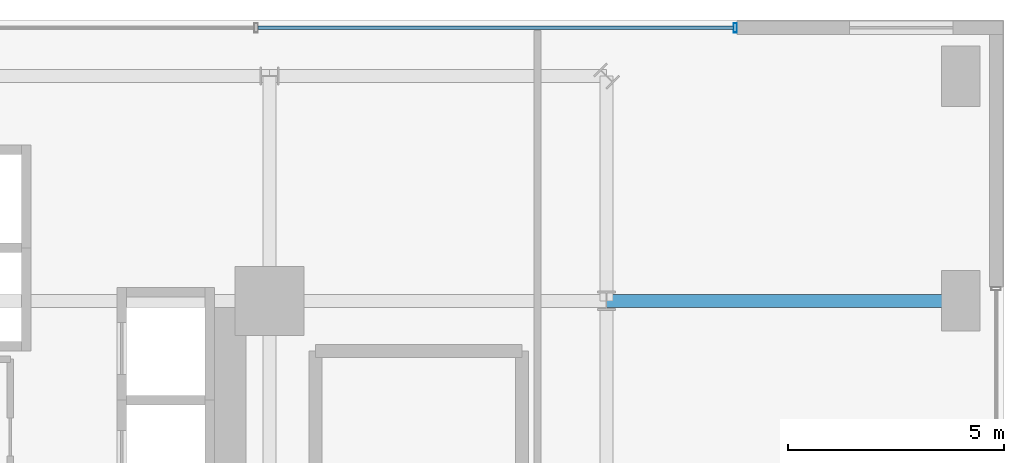
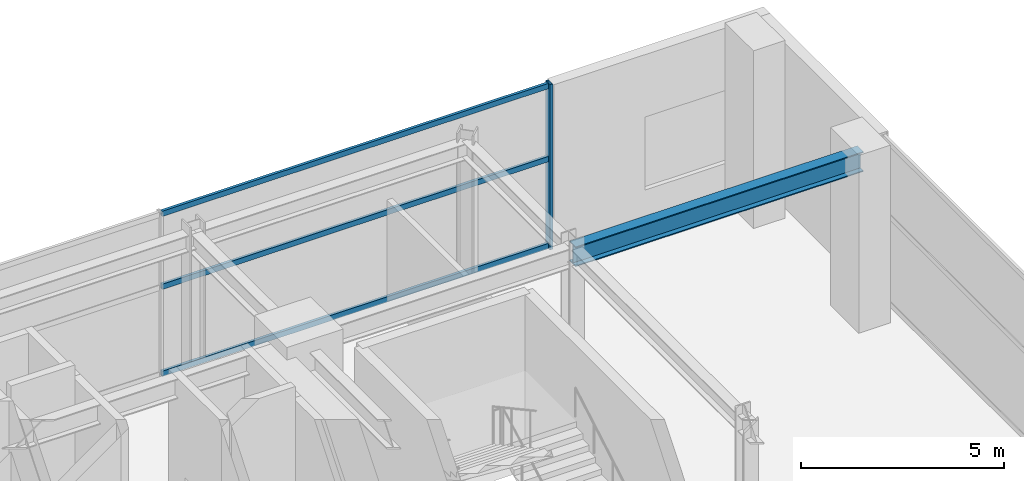
# One storey, part 22 of 35: 4 members, 1 beam, 1 element without a shape of its own.
"""IFC4 building model written with IfcOpenShell, lengths in metres."""

from ifc_helpers import new_model, si_unit, direction, frame, origin, origin_2d, place, context, subcontext, project, spatial, hollow_rectangle, i_section, extrude, source, transform, mapped, material, material_profile, profile_set, type_object, element, aggregate, save


model = new_model("IFC4")

# Units and contexts
model_context = context("Model", 3, precision=1e-05, world=origin(), true_north=direction((0.0, 1.0)))
body_context = subcontext(model_context, "Body", "Model", "MODEL_VIEW")
ifc_project = project(units=[si_unit("LENGTHUNIT", "METRE"), si_unit("AREAUNIT", "SQUARE_METRE"), si_unit("VOLUMEUNIT", "CUBIC_METRE"), si_unit("PLANEANGLEUNIT", "RADIAN"), si_unit("MASSUNIT", "GRAM", prefix="KILO")], contexts=[model_context])

# Site, building, storey
site_placement = place(None, origin())
site = spatial("IfcSite", under=ifc_project, at=site_placement, CompositionType="ELEMENT")
building_placement = place(site_placement, origin())
building = spatial("IfcBuilding", under=site, at=building_placement, Name="Nahalor Promenade Grand Hotel", CompositionType="ELEMENT")
storey_placement = place(building_placement, frame((0.0, 0.0, 21.60009765625)))
storey = spatial("IfcBuildingStorey", under=building, at=storey_placement, Name="L04", CompositionType="ELEMENT", Elevation=21.60009765625)

# Beam
ifc_material_1 = material(Name="Steel S355JR", Category="steel")
ifc_material_profile_1 = material_profile(ifc_material_1, i_section(OverallWidth=0.3, OverallDepth=0.6, WebThickness=0.0155, FlangeThickness=0.03, at=origin_2d()), Name="HEB 600")
ifc_profile_set_1 = profile_set([ifc_material_profile_1], Name="Steel S355JR")
beam_type = type_object("IfcBeamType", Name="Beam-Girder-HEB600", PredefinedType="BEAM", material=ifc_profile_set_1)
shared_shape_1 = source(origin(), body_context, "Body", "SweptSolid", [
    extrude(i_section(OverallWidth=0.3, OverallDepth=0.6, WebThickness=0.0155, FlangeThickness=0.03, at=origin_2d()), origin(), (0.0, 0.0, 1.0), 8.199951171875),
])
beam_placement = place(storey_placement, frame((24.800048828125, 17.0, 4.679931640625), z_axis=(1.0, 0.0, 0.0), x_axis=(0.0, 1.0, 0.0)))
element("IfcBeam", 1, at=beam_placement, inside=storey, type_object=beam_type, Name="BM-L04-GX-3-8", PredefinedType="BEAM", context=body_context, shape_type="MappedRepresentation", body=[
    mapped(shared_shape_1, transform((0.0, 0.0, 0.0), scale=1.0)),
])

# Curtain wall, members
ifc_material_2 = material(Name="Anodised Bronze Aluminium EN AW-6063 T6", Category="aluminium")
curtain_wall_type = type_object("IfcCurtainWallType", Name="CW1 Waterfront Podium Bronze Arcade Curtain Wall", PredefinedType="USERDEFINED", material=ifc_material_2)
curtain_wall_placement = place(storey_placement, origin())
curtain_wall = element("IfcCurtainWall", 2, at=curtain_wall_placement, inside=storey, type_object=curtain_wall_type, Name="L04 Curtain Wall CW-L04-N", ObjectType="UNITISED_CURTAIN_WALL", PredefinedType="USERDEFINED")
ifc_material_profile_2 = material_profile(ifc_material_2, hollow_rectangle(XDim=0.08, YDim=0.22, WallThickness=0.005, at=origin_2d()), Name="CWM 80x220x5")
ifc_profile_set_2 = profile_set([ifc_material_profile_2], Name="Anodised Bronze Aluminium EN AW-6063 T6")
member_type_1 = type_object("IfcMemberType", Name="CWM1 Podium Bronze Mullion 80x220", PredefinedType="MULLION", material=ifc_profile_set_2)
shared_shape_2 = source(origin(), body_context, "Body", "SweptSolid", [
    extrude(hollow_rectangle(XDim=0.08, YDim=0.22, WallThickness=0.005, at=origin_2d()), origin(), (0.0, 0.0, 1.0), 4.97998046875),
])
member_1_placement = place(storey_placement, frame((27.780029296875, 23.320068359375, 0.0), z_axis=(0.0, 0.0, 1.0), x_axis=(1.0, 0.0, 0.0)))
member_1 = element("IfcMember", 3, at=member_1_placement, type_object=member_type_1, Name="CW-L04-N Mullion 5", PredefinedType="MULLION", context=body_context, shape_type="MappedRepresentation", body=[
    mapped(shared_shape_2, transform((0.0, 0.0, 0.0), scale=1.0)),
])
ifc_material_profile_3 = material_profile(ifc_material_2, hollow_rectangle(XDim=0.08, YDim=0.16, WallThickness=0.004, at=origin_2d()), Name="CWT 80x160x4")
ifc_profile_set_3 = profile_set([ifc_material_profile_3], Name="Anodised Bronze Aluminium EN AW-6063 T6")
member_type_2 = type_object("IfcMemberType", Name="CWT1 Podium Bronze Transom 80x160", PredefinedType="USERDEFINED", material=ifc_profile_set_3)
shared_shape_3 = source(origin(), body_context, "Body", "SweptSolid", [
    extrude(hollow_rectangle(XDim=0.08, YDim=0.16, WallThickness=0.004, at=origin_2d()), origin(), (0.0, 0.0, 1.0), 11.008056640625),
])
member_2_placement = place(storey_placement, frame((16.73193359375, 23.320068359375, 0.079833984375), z_axis=(1.0, 0.0, 0.0), x_axis=(0.0, 1.0, 0.0)))
member_2 = element("IfcMember", 4, at=member_2_placement, type_object=member_type_2, Name="CW-L04-N Transom 4-0", ObjectType="TRANSOM", PredefinedType="USERDEFINED", context=body_context, shape_type="MappedRepresentation", body=[
    mapped(shared_shape_3, transform((0.0, 0.0, 0.0), scale=1.0)),
])
member_3_placement = place(storey_placement, frame((16.73193359375, 23.320068359375, 2.699951171875), z_axis=(1.0, 0.0, 0.0), x_axis=(0.0, 1.0, 0.0)))
member_3 = element("IfcMember", 5, at=member_3_placement, type_object=member_type_2, Name="CW-L04-N Transom 4-1", ObjectType="TRANSOM", PredefinedType="USERDEFINED", context=body_context, shape_type="MappedRepresentation", body=[
    mapped(shared_shape_3, transform((0.0, 0.0, 0.0), scale=1.0)),
])
member_4_placement = place(storey_placement, frame((16.73193359375, 23.320068359375, 4.89990234375), z_axis=(1.0, 0.0, 0.0), x_axis=(0.0, 1.0, 0.0)))
member_4 = element("IfcMember", 6, at=member_4_placement, type_object=member_type_2, Name="CW-L04-N Transom 4-2", ObjectType="TRANSOM", PredefinedType="USERDEFINED", context=body_context, shape_type="MappedRepresentation", body=[
    mapped(shared_shape_3, transform((0.0, 0.0, 0.0), scale=1.0)),
])
aggregate(curtain_wall, [member_1, member_2, member_3, member_4])

save(model, "model.ifc")
